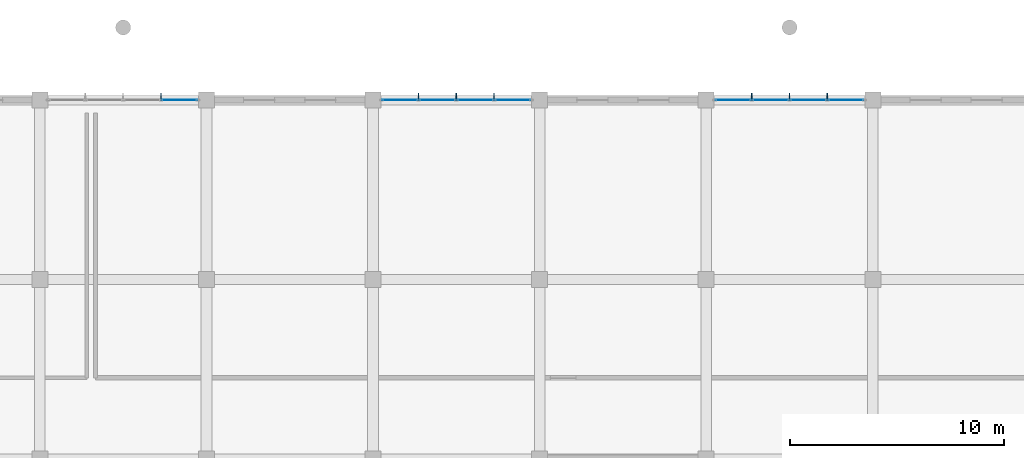
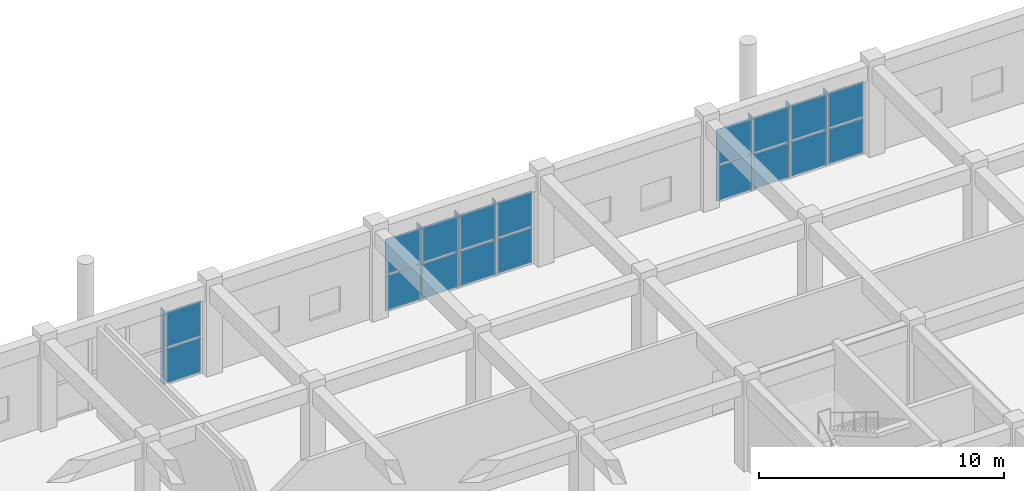
# One storey, part 156 of 175: 25 plates, 3 elements without a shape of their own.
"""IFC4 building model written with IfcOpenShell, lengths in metres."""

from ifc_helpers import new_model, si_unit, direction, frame, origin, origin_2d, place, context, subcontext, project, spatial, polyline, rectangle, outline, extrude, material, layer, layer_set, type_object, element, aggregate, save


model = new_model("IFC4")

# Units and contexts
model_context = context("Model", 3, precision=1e-05, world=origin(), true_north=direction((0.0, 1.0)))
body_context = subcontext(model_context, "Body", "Model", "MODEL_VIEW")
ifc_project = project(units=[si_unit("LENGTHUNIT", "METRE"), si_unit("AREAUNIT", "SQUARE_METRE"), si_unit("VOLUMEUNIT", "CUBIC_METRE"), si_unit("PLANEANGLEUNIT", "RADIAN"), si_unit("MASSUNIT", "GRAM", prefix="KILO")], contexts=[model_context])

# Site, building, storey
site_placement = place(None, origin())
site = spatial("IfcSite", under=ifc_project, at=site_placement, CompositionType="ELEMENT")
building_placement = place(site_placement, origin())
building = spatial("IfcBuilding", under=site, at=building_placement, Name="Zizhar Promenade General Hospital", CompositionType="ELEMENT")
storey_placement = place(building_placement, frame((0.0, 0.0, 4.800048828125)))
storey = spatial("IfcBuildingStorey", under=building, at=storey_placement, Name="L01", CompositionType="ELEMENT", Elevation=4.800048828125)

# Curtain wall, plates
ifc_material_1 = material(Name="Anodised aluminium 6063-T6 and low-E glass", Category="aluminium")
ifc_layer_1 = layer(ifc_material_1, 0.159912109375)
ifc_layer_set_1 = layer_set([ifc_layer_1], Name="Anodised aluminium 6063-T6 and low-E glass")
curtain_wall_type = type_object("IfcCurtainWallType", Name="CW-DT-MOD2", PredefinedType="NOTDEFINED", material=ifc_layer_set_1)
curtain_wall_1_placement = place(storey_placement, origin())
curtain_wall_1 = element("IfcCurtainWall", 1, at=curtain_wall_1_placement, inside=storey, type_object=curtain_wall_type, Name="Surgical North Glazed Curtain Wall L01-11", PredefinedType="NOTDEFINED")
ifc_material_2 = material(Name="Low-E solar-control glass", Category="glass")
ifc_layer_2 = layer(ifc_material_2, 0.031982421875)
ifc_layer_set_2 = layer_set([ifc_layer_2], Name="Low-E solar-control glass")
plate_type_1 = type_object("IfcPlateType", Name="CWP-GLZ-32", PredefinedType="CURTAIN_PANEL", material=ifc_layer_set_2)
plate_1_placement = place(storey_placement, frame((92.3349609375, 134.39990234375, 0.06005859375), z_axis=(0.0, 0.0, 1.0), x_axis=(1.0, 0.0, 0.0)))
plate_1 = element("IfcPlate", 2, at=plate_1_placement, type_object=plate_type_1, Name="CW-08 panel 4.1", PredefinedType="CURTAIN_PANEL", context=body_context, shape_type="SweptSolid", body=[
    extrude(rectangle(XDim=1.64990234375, YDim=0.031982421875, at=origin_2d()), origin(), (0.0, 0.0, 1.0), 1.75),
])
plate_2_placement = place(storey_placement, frame((92.3349609375, 134.39990234375, 1.869873046875), z_axis=(0.0, 0.0, 1.0), x_axis=(1.0, 0.0, 0.0)))
plate_2 = element("IfcPlate", 3, at=plate_2_placement, type_object=plate_type_1, Name="CW-08 panel 4.2", PredefinedType="CURTAIN_PANEL", context=body_context, shape_type="SweptSolid", body=[
    extrude(rectangle(XDim=1.64990234375, YDim=0.031982421875, at=origin_2d()), origin(), (0.0, 0.0, 1.0), 1.75),
])
aggregate(curtain_wall_1, [plate_1, plate_2])

curtain_wall_2_placement = place(storey_placement, origin())
curtain_wall_2 = element("IfcCurtainWall", 4, at=curtain_wall_2_placement, inside=storey, type_object=curtain_wall_type, Name="Surgical North Glazed Curtain Wall L01-13", PredefinedType="NOTDEFINED")
plate_3_placement = place(storey_placement, frame((102.6650390625, 134.39990234375, 0.06005859375), z_axis=(0.0, 0.0, 1.0), x_axis=(1.0, 0.0, 0.0)))
plate_3 = element("IfcPlate", 5, at=plate_3_placement, type_object=plate_type_1, Name="CW-08 panel 1.1", PredefinedType="CURTAIN_PANEL", context=body_context, shape_type="SweptSolid", body=[
    extrude(rectangle(XDim=1.64990234375, YDim=0.031982421875, at=origin_2d()), origin(), (0.0, 0.0, 1.0), 1.75),
])
plate_4_placement = place(storey_placement, frame((102.6650390625, 134.39990234375, 1.869873046875), z_axis=(0.0, 0.0, 1.0), x_axis=(1.0, 0.0, 0.0)))
plate_4 = element("IfcPlate", 6, at=plate_4_placement, type_object=plate_type_1, Name="CW-08 panel 1.2", PredefinedType="CURTAIN_PANEL", context=body_context, shape_type="SweptSolid", body=[
    extrude(rectangle(XDim=1.64990234375, YDim=0.031982421875, at=origin_2d()), origin(), (0.0, 0.0, 1.0), 1.75),
])
plate_5_placement = place(storey_placement, frame((104.4150390625, 134.39990234375, 0.06005859375), z_axis=(0.0, 0.0, 1.0), x_axis=(1.0, 0.0, 0.0)))
plate_5 = element("IfcPlate", 7, at=plate_5_placement, type_object=plate_type_1, Name="CW-08 panel 2.1", PredefinedType="CURTAIN_PANEL", context=body_context, shape_type="SweptSolid", body=[
    extrude(rectangle(XDim=1.68994140625, YDim=0.031982421875, at=origin_2d()), origin(), (0.0, 0.0, 1.0), 1.75),
])
plate_6_placement = place(storey_placement, frame((104.4150390625, 134.39990234375, 1.869873046875), z_axis=(0.0, 0.0, 1.0), x_axis=(1.0, 0.0, 0.0)))
plate_6 = element("IfcPlate", 8, at=plate_6_placement, type_object=plate_type_1, Name="CW-08 panel 2.2", PredefinedType="CURTAIN_PANEL", context=body_context, shape_type="SweptSolid", body=[
    extrude(rectangle(XDim=1.68994140625, YDim=0.031982421875, at=origin_2d()), origin(), (0.0, 0.0, 1.0), 1.75),
])
plate_7_placement = place(storey_placement, frame((106.18505859375, 134.39990234375, 0.06005859375), z_axis=(0.0, 0.0, 1.0), x_axis=(1.0, 0.0, 0.0)))
plate_7 = element("IfcPlate", 9, at=plate_7_placement, type_object=plate_type_1, Name="CW-08 panel 3.1", PredefinedType="CURTAIN_PANEL", context=body_context, shape_type="SweptSolid", body=[
    extrude(rectangle(XDim=1.68994140625, YDim=0.031982421875, at=origin_2d()), origin(), (0.0, 0.0, 1.0), 1.75),
])
plate_8_placement = place(storey_placement, frame((106.18505859375, 134.39990234375, 1.869873046875), z_axis=(0.0, 0.0, 1.0), x_axis=(1.0, 0.0, 0.0)))
plate_8 = element("IfcPlate", 10, at=plate_8_placement, type_object=plate_type_1, Name="CW-08 panel 3.2", PredefinedType="CURTAIN_PANEL", context=body_context, shape_type="SweptSolid", body=[
    extrude(rectangle(XDim=1.68994140625, YDim=0.031982421875, at=origin_2d()), origin(), (0.0, 0.0, 1.0), 1.75),
])
plate_9_placement = place(storey_placement, frame((107.93505859375, 134.39990234375, 0.06005859375), z_axis=(0.0, 0.0, 1.0), x_axis=(1.0, 0.0, 0.0)))
plate_9 = element("IfcPlate", 11, at=plate_9_placement, type_object=plate_type_1, Name="CW-08 panel 4.1", PredefinedType="CURTAIN_PANEL", context=body_context, shape_type="SweptSolid", body=[
    extrude(rectangle(XDim=1.64990234375, YDim=0.031982421875, at=origin_2d()), origin(), (0.0, 0.0, 1.0), 1.75),
])
plate_10_placement = place(storey_placement, frame((107.93505859375, 134.39990234375, 1.869873046875), z_axis=(0.0, 0.0, 1.0), x_axis=(1.0, 0.0, 0.0)))
plate_10 = element("IfcPlate", 12, at=plate_10_placement, type_object=plate_type_1, Name="CW-08 panel 4.2", PredefinedType="CURTAIN_PANEL", context=body_context, shape_type="SweptSolid", body=[
    extrude(rectangle(XDim=1.64990234375, YDim=0.031982421875, at=origin_2d()), origin(), (0.0, 0.0, 1.0), 1.75),
])
aggregate(curtain_wall_2, [plate_3, plate_4, plate_5, plate_6, plate_7, plate_8, plate_9, plate_10])

curtain_wall_3_placement = place(storey_placement, origin())
curtain_wall_3 = element("IfcCurtainWall", 13, at=curtain_wall_3_placement, inside=storey, type_object=curtain_wall_type, Name="Surgical North Glazed Curtain Wall L01-15", PredefinedType="NOTDEFINED")
plate_11_placement = place(storey_placement, frame((118.264892578125, 134.39990234375, 0.06005859375), z_axis=(0.0, 0.0, 1.0), x_axis=(1.0, 0.0, 0.0)))
plate_11 = element("IfcPlate", 14, at=plate_11_placement, type_object=plate_type_1, Name="CW-08 panel 1.1", PredefinedType="CURTAIN_PANEL", context=body_context, shape_type="SweptSolid", body=[
    extrude(rectangle(XDim=1.64990234375, YDim=0.031982421875, at=origin_2d()), origin(), (0.0, 0.0, 1.0), 1.75),
])
plate_12_placement = place(storey_placement, frame((118.264892578125, 134.39990234375, 1.869873046875), z_axis=(0.0, 0.0, 1.0), x_axis=(1.0, 0.0, 0.0)))
plate_12 = element("IfcPlate", 15, at=plate_12_placement, type_object=plate_type_1, Name="CW-08 panel 1.2", PredefinedType="CURTAIN_PANEL", context=body_context, shape_type="SweptSolid", body=[
    extrude(rectangle(XDim=1.64990234375, YDim=0.031982421875, at=origin_2d()), origin(), (0.0, 0.0, 1.0), 1.75),
])
plate_13_placement = place(storey_placement, frame((120.014892578125, 134.39990234375, 0.06005859375), z_axis=(0.0, 0.0, 1.0), x_axis=(1.0, 0.0, 0.0)))
plate_13 = element("IfcPlate", 16, at=plate_13_placement, type_object=plate_type_1, Name="CW-08 panel 2.1", PredefinedType="CURTAIN_PANEL", context=body_context, shape_type="SweptSolid", body=[
    extrude(rectangle(XDim=1.68994140625, YDim=0.031982421875, at=origin_2d()), origin(), (0.0, 0.0, 1.0), 1.75),
])
plate_14_placement = place(storey_placement, frame((120.014892578125, 134.39990234375, 1.869873046875), z_axis=(0.0, 0.0, 1.0), x_axis=(1.0, 0.0, 0.0)))
plate_14 = element("IfcPlate", 17, at=plate_14_placement, type_object=plate_type_1, Name="CW-08 panel 2.2", PredefinedType="CURTAIN_PANEL", context=body_context, shape_type="SweptSolid", body=[
    extrude(rectangle(XDim=1.68994140625, YDim=0.031982421875, at=origin_2d()), origin(), (0.0, 0.0, 1.0), 1.75),
])
plate_15_placement = place(storey_placement, frame((121.784912109375, 134.39990234375, 0.06005859375), z_axis=(0.0, 0.0, 1.0), x_axis=(1.0, 0.0, 0.0)))
plate_15 = element("IfcPlate", 18, at=plate_15_placement, type_object=plate_type_1, Name="CW-08 panel 3.1", PredefinedType="CURTAIN_PANEL", context=body_context, shape_type="SweptSolid", body=[
    extrude(rectangle(XDim=1.68994140625, YDim=0.031982421875, at=origin_2d()), origin(), (0.0, 0.0, 1.0), 1.75),
])
plate_16_placement = place(storey_placement, frame((121.784912109375, 134.39990234375, 1.869873046875), z_axis=(0.0, 0.0, 1.0), x_axis=(1.0, 0.0, 0.0)))
plate_16 = element("IfcPlate", 19, at=plate_16_placement, type_object=plate_type_1, Name="CW-08 panel 3.2", PredefinedType="CURTAIN_PANEL", context=body_context, shape_type="SweptSolid", body=[
    extrude(rectangle(XDim=1.68994140625, YDim=0.031982421875, at=origin_2d()), origin(), (0.0, 0.0, 1.0), 1.75),
])
plate_17_placement = place(storey_placement, frame((123.534912109375, 134.39990234375, 0.06005859375), z_axis=(0.0, 0.0, 1.0), x_axis=(1.0, 0.0, 0.0)))
plate_17 = element("IfcPlate", 20, at=plate_17_placement, type_object=plate_type_1, Name="CW-08 panel 4.1", PredefinedType="CURTAIN_PANEL", context=body_context, shape_type="SweptSolid", body=[
    extrude(rectangle(XDim=1.64990234375, YDim=0.031982421875, at=origin_2d()), origin(), (0.0, 0.0, 1.0), 1.75),
])
plate_18_placement = place(storey_placement, frame((123.534912109375, 134.39990234375, 1.869873046875), z_axis=(0.0, 0.0, 1.0), x_axis=(1.0, 0.0, 0.0)))
plate_18 = element("IfcPlate", 21, at=plate_18_placement, type_object=plate_type_1, Name="CW-08 panel 4.2", PredefinedType="CURTAIN_PANEL", context=body_context, shape_type="SweptSolid", body=[
    extrude(rectangle(XDim=1.64990234375, YDim=0.031982421875, at=origin_2d()), origin(), (0.0, 0.0, 1.0), 1.75),
])
aggregate(curtain_wall_3, [plate_11, plate_12, plate_13, plate_14, plate_15, plate_16, plate_17, plate_18])

# Plates
ifc_material_3 = material(Name="Anodised aluminium 6063-T6", Category="aluminium")
ifc_layer_3 = layer(ifc_material_3, 0.033935546875)
ifc_layer_set_3 = layer_set([ifc_layer_3], Name="Anodised aluminium 6063-T6")
plate_type_2 = type_object("IfcPlateType", Name="FIN-ALU-320", PredefinedType="USERDEFINED", material=ifc_layer_set_3)
plate_19_placement = place(storey_placement, origin())
element("IfcPlate", 22, at=plate_19_placement, inside=storey, type_object=plate_type_2, Name="Surgical North Glazed Curtain Wall L01-11 Solar Fin 3", ObjectType="SOLAR_SHADE", PredefinedType="USERDEFINED", context=body_context, shape_type="SweptSolid", body=[
    extrude(outline(polyline([(91.452880859375, 134.39990234375), (91.487060546875, 134.39990234375), (91.487060546875, 134.719970703125), (91.452880859375, 134.719970703125), (91.452880859375, 134.39990234375)])), origin(), (0.0, 0.0, 1.0), 3.679931640625),
])
plate_20_placement = place(storey_placement, origin())
element("IfcPlate", 23, at=plate_20_placement, inside=storey, type_object=plate_type_2, Name="Surgical North Glazed Curtain Wall L01-13 Solar Fin 1", ObjectType="SOLAR_SHADE", PredefinedType="USERDEFINED", context=body_context, shape_type="SweptSolid", body=[
    extrude(outline(polyline([(103.512939453125, 134.39990234375), (103.547119140625, 134.39990234375), (103.547119140625, 134.719970703125), (103.512939453125, 134.719970703125), (103.512939453125, 134.39990234375)])), origin(), (0.0, 0.0, 1.0), 3.679931640625),
])
plate_21_placement = place(storey_placement, origin())
element("IfcPlate", 24, at=plate_21_placement, inside=storey, type_object=plate_type_2, Name="Surgical North Glazed Curtain Wall L01-13 Solar Fin 2", ObjectType="SOLAR_SHADE", PredefinedType="USERDEFINED", context=body_context, shape_type="SweptSolid", body=[
    extrude(outline(polyline([(105.282958984375, 134.39990234375), (105.31689453125, 134.39990234375), (105.31689453125, 134.719970703125), (105.282958984375, 134.719970703125), (105.282958984375, 134.39990234375)])), origin(), (0.0, 0.0, 1.0), 3.679931640625),
])
plate_22_placement = place(storey_placement, origin())
element("IfcPlate", 25, at=plate_22_placement, inside=storey, type_object=plate_type_2, Name="Surgical North Glazed Curtain Wall L01-13 Solar Fin 3", ObjectType="SOLAR_SHADE", PredefinedType="USERDEFINED", context=body_context, shape_type="SweptSolid", body=[
    extrude(outline(polyline([(107.052978515625, 134.39990234375), (107.0869140625, 134.39990234375), (107.0869140625, 134.719970703125), (107.052978515625, 134.719970703125), (107.052978515625, 134.39990234375)])), origin(), (0.0, 0.0, 1.0), 3.679931640625),
])
plate_23_placement = place(storey_placement, origin())
element("IfcPlate", 26, at=plate_23_placement, inside=storey, type_object=plate_type_2, Name="Surgical North Glazed Curtain Wall L01-15 Solar Fin 1", ObjectType="SOLAR_SHADE", PredefinedType="USERDEFINED", context=body_context, shape_type="SweptSolid", body=[
    extrude(outline(polyline([(119.113037109375, 134.39990234375), (119.14697265625, 134.39990234375), (119.14697265625, 134.719970703125), (119.113037109375, 134.719970703125), (119.113037109375, 134.39990234375)])), origin(), (0.0, 0.0, 1.0), 3.679931640625),
])
plate_24_placement = place(storey_placement, origin())
element("IfcPlate", 27, at=plate_24_placement, inside=storey, type_object=plate_type_2, Name="Surgical North Glazed Curtain Wall L01-15 Solar Fin 2", ObjectType="SOLAR_SHADE", PredefinedType="USERDEFINED", context=body_context, shape_type="SweptSolid", body=[
    extrude(outline(polyline([(120.883056640625, 134.39990234375), (120.9169921875, 134.39990234375), (120.9169921875, 134.719970703125), (120.883056640625, 134.719970703125), (120.883056640625, 134.39990234375)])), origin(), (0.0, 0.0, 1.0), 3.679931640625),
])
plate_25_placement = place(storey_placement, origin())
element("IfcPlate", 28, at=plate_25_placement, inside=storey, type_object=plate_type_2, Name="Surgical North Glazed Curtain Wall L01-15 Solar Fin 3", ObjectType="SOLAR_SHADE", PredefinedType="USERDEFINED", context=body_context, shape_type="SweptSolid", body=[
    extrude(outline(polyline([(122.653076171875, 134.39990234375), (122.68701171875, 134.39990234375), (122.68701171875, 134.719970703125), (122.653076171875, 134.719970703125), (122.653076171875, 134.39990234375)])), origin(), (0.0, 0.0, 1.0), 3.679931640625),
])

save(model, "model.ifc")
